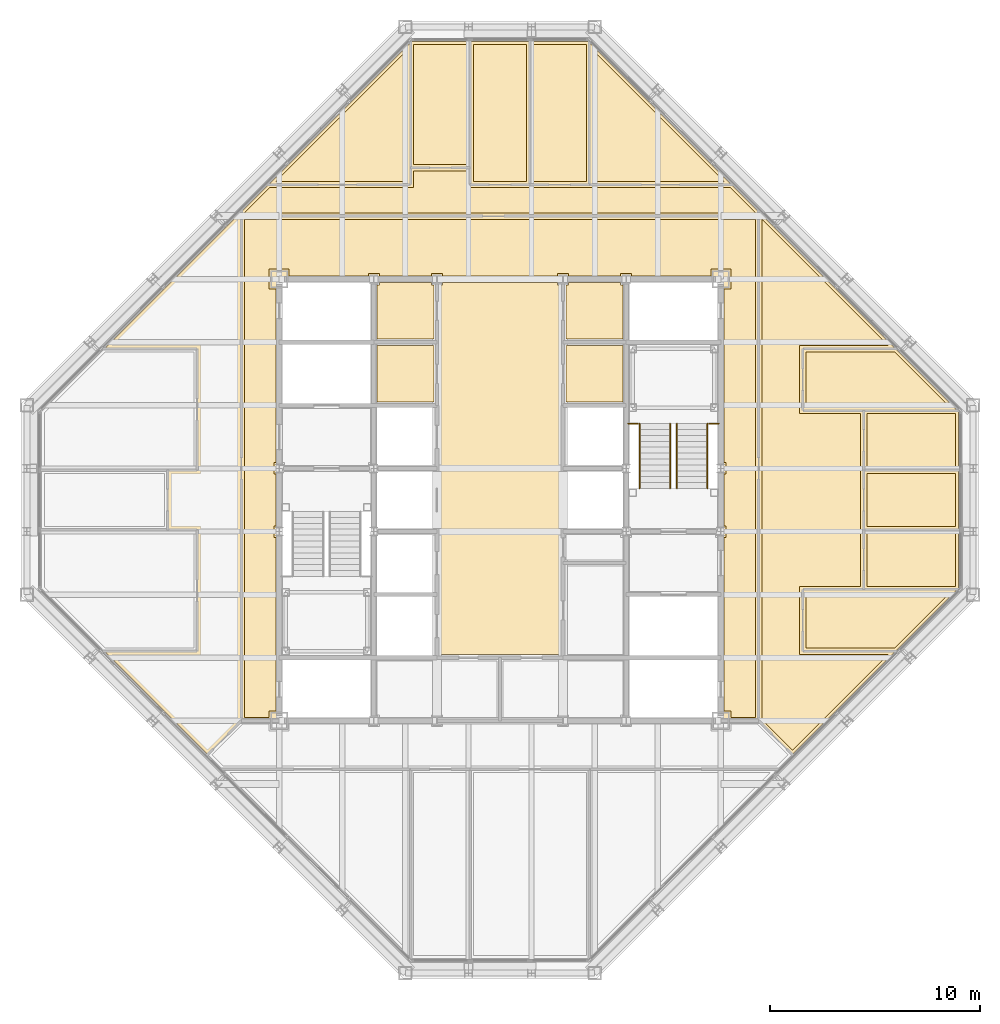
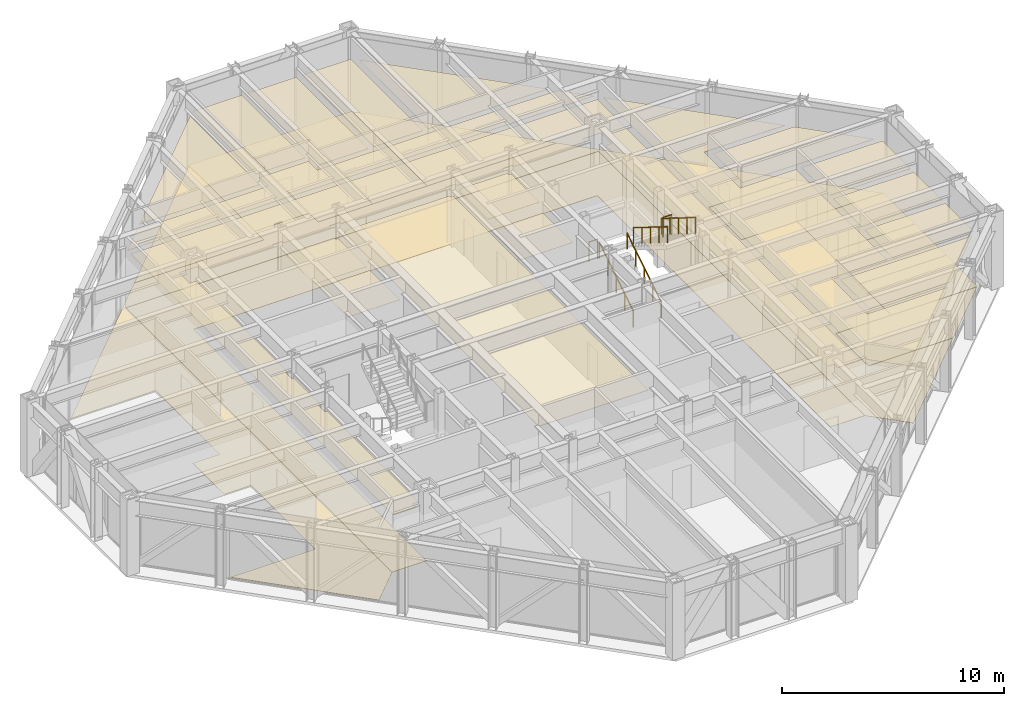
# One storey, part 15 of 15: 30 coverings, 6 railings.
"""IFC4 building model written with IfcOpenShell, lengths in metres."""

from ifc_helpers import new_model, si_unit, direction, frame, origin, origin_2d, place, context, subcontext, project, spatial, polyline, circle, outline, extrude, material, layer, layer_set, type_object, element, save


model = new_model("IFC4")

# Units and contexts
model_context = context("Model", 3, precision=1e-05, world=origin(), true_north=direction((0.0, 1.0)))
body_context = subcontext(model_context, "Body", "Model", "MODEL_VIEW")
ifc_project = project(units=[si_unit("LENGTHUNIT", "METRE"), si_unit("AREAUNIT", "SQUARE_METRE"), si_unit("VOLUMEUNIT", "CUBIC_METRE"), si_unit("PLANEANGLEUNIT", "RADIAN"), si_unit("MASSUNIT", "GRAM", prefix="KILO")], contexts=[model_context])

# Site, building, storey
site_placement = place(None, origin())
site = spatial("IfcSite", under=ifc_project, at=site_placement, CompositionType="ELEMENT")
building_placement = place(site_placement, origin())
building = spatial("IfcBuilding", under=site, at=building_placement, Name="Chuquiago Exchange Tower", CompositionType="ELEMENT")
storey_placement = place(building_placement, frame((0.0, 0.0, 291.60009765625)))
storey = spatial("IfcBuildingStorey", under=building, at=storey_placement, Name="L65", CompositionType="ELEMENT", Elevation=291.60009765625)

# Coverings
ifc_material_1 = material(Name="Mineral fibre tile, 600 x 600, on pale metal grid", Category="mineral fibre")
ifc_layer_1 = layer(ifc_material_1, 0.02001953125)
ifc_layer_set_1 = layer_set([ifc_layer_1], Name="CL1 suspended tile ceiling 20")
covering_type_1 = type_object("IfcCoveringType", Name="CL1 suspended tile ceiling 20", PredefinedType="CEILING", material=ifc_layer_set_1)
covering_1_placement = place(storey_placement, frame((0.0, 0.0, 3.0)))
element("IfcCovering", 1, at=covering_1_placement, inside=storey, type_object=covering_type_1, Name="Ceiling Executive office", PredefinedType="CEILING", context=body_context, shape_type="SweptSolid", body=[
    extrude(outline(polyline([(37.050048828125, 15.45703125), (37.050048828125, 18.098388671875), (43.896484375, 18.098388671875), (41.255126953125, 15.45703125), (37.050048828125, 15.45703125)])), origin(), (0.0, 0.0, 1.0), 0.02001953125),
])
covering_2_placement = place(storey_placement, frame((0.0, 0.0, 3.0)))
element("IfcCovering", 2, at=covering_2_placement, inside=storey, type_object=covering_type_1, Name="Ceiling Focus room", PredefinedType="CEILING", context=body_context, shape_type="SweptSolid", body=[
    extrude(outline(polyline([(39.949951171875, 18.3984375), (39.949951171875, 20.932861328125), (44.14990234375, 20.932861328125), (44.14990234375, 18.3984375), (39.949951171875, 18.3984375)])), origin(), (0.0, 0.0, 1.0), 0.02001953125),
])
covering_3_placement = place(storey_placement, frame((0.0, 0.0, 3.0)))
element("IfcCovering", 3, at=covering_3_placement, inside=storey, type_object=covering_type_1, Name="Ceiling Store", PredefinedType="CEILING", context=body_context, shape_type="SweptSolid", body=[
    extrude(outline(polyline([(39.949951171875, 21.23291015625), (39.949951171875, 23.76708984375), (44.14990234375, 23.76708984375), (44.14990234375, 21.23291015625), (39.949951171875, 21.23291015625)])), origin(), (0.0, 0.0, 1.0), 0.02001953125),
])
covering_4_placement = place(storey_placement, frame((0.0, 0.0, 3.0)))
element("IfcCovering", 4, at=covering_4_placement, inside=storey, type_object=covering_type_1, Name="Ceiling Focus room", PredefinedType="CEILING", context=body_context, shape_type="SweptSolid", body=[
    extrude(outline(polyline([(44.14990234375, 24.067138671875), (39.949951171875, 24.067138671875), (39.949951171875, 26.6015625), (44.14990234375, 26.6015625), (44.14990234375, 24.067138671875)])), origin(), (0.0, 0.0, 1.0), 0.02001953125),
])
covering_5_placement = place(storey_placement, frame((0.0, 0.0, 3.0)))
element("IfcCovering", 5, at=covering_5_placement, inside=storey, type_object=covering_type_1, Name="Ceiling Executive office", PredefinedType="CEILING", context=body_context, shape_type="SweptSolid", body=[
    extrude(outline(polyline([(37.050048828125, 26.901611328125), (37.050048828125, 29.54296875), (41.255126953125, 29.54296875), (43.896484375, 26.901611328125), (37.050048828125, 26.901611328125)])), origin(), (0.0, 0.0, 1.0), 0.02001953125),
])
covering_6_placement = place(storey_placement, frame((0.0, 0.0, 3.0)))
element("IfcCovering", 6, at=covering_6_placement, inside=storey, type_object=covering_type_1, Name="Ceiling Broker lounge", PredefinedType="CEILING", context=body_context, shape_type="SweptSolid", body=[
    extrude(outline(polyline([(18.098388671875, 37.64990234375), (11.85205078125, 37.64990234375), (18.098388671875, 43.896484375), (18.098388671875, 37.64990234375)])), origin(), (0.0, 0.0, 1.0), 0.02001953125),
])
covering_7_placement = place(storey_placement, frame((0.0, 0.0, 3.0)))
element("IfcCovering", 7, at=covering_7_placement, inside=storey, type_object=covering_type_1, Name="Ceiling Pantry", PredefinedType="CEILING", context=body_context, shape_type="SweptSolid", body=[
    extrude(outline(polyline([(20.932861328125, 44.14990234375), (20.932861328125, 38.449951171875), (18.3984375, 38.449951171875), (18.3984375, 44.14990234375), (20.932861328125, 44.14990234375)])), origin(), (0.0, 0.0, 1.0), 0.02001953125),
])
covering_8_placement = place(storey_placement, frame((0.0, 0.0, 3.0)))
element("IfcCovering", 8, at=covering_8_placement, inside=storey, type_object=covering_type_1, Name="Ceiling Office", PredefinedType="CEILING", context=body_context, shape_type="SweptSolid", body=[
    extrude(outline(polyline([(23.76708984375, 37.64990234375), (21.23291015625, 37.64990234375), (21.23291015625, 44.14990234375), (23.76708984375, 44.14990234375), (23.76708984375, 37.64990234375)])), origin(), (0.0, 0.0, 1.0), 0.02001953125),
])
covering_9_placement = place(storey_placement, frame((0.0, 0.0, 3.0)))
element("IfcCovering", 9, at=covering_9_placement, inside=storey, type_object=covering_type_1, Name="Ceiling Office", PredefinedType="CEILING", context=body_context, shape_type="SweptSolid", body=[
    extrude(outline(polyline([(26.6015625, 37.64990234375), (24.067138671875, 37.64990234375), (24.067138671875, 44.14990234375), (26.6015625, 44.14990234375), (26.6015625, 37.64990234375)])), origin(), (0.0, 0.0, 1.0), 0.02001953125),
])
covering_10_placement = place(storey_placement, frame((0.0, 0.0, 3.0)))
element("IfcCovering", 10, at=covering_10_placement, inside=storey, type_object=covering_type_1, Name="Ceiling Training room", PredefinedType="CEILING", context=body_context, shape_type="SweptSolid", body=[
    extrude(outline(polyline([(26.901611328125, 37.64990234375), (26.901611328125, 43.896484375), (33.14794921875, 37.64990234375), (26.901611328125, 37.64990234375)])), origin(), (0.0, 0.0, 1.0), 0.02001953125),
])
covering_11_placement = place(storey_placement, frame((0.0, 0.0, 3.0)))
element("IfcCovering", 11, at=covering_11_placement, inside=storey, type_object=covering_type_1, Name="Ceiling Executive corridor", PredefinedType="CEILING", context=body_context, shape_type="SweptSolid", body=[
    extrude(outline(polyline([(10.35009765625, 12.14990234375), (10.35009765625, 35.85009765625), (34.64990234375, 35.85009765625), (34.64990234375, 12.14990234375), (33.47509765625, 12.14990234375), (33.47509765625, 12.47509765625), (33.14990234375, 12.47509765625), (33.14990234375, 20.727783203125), (33.25830078125, 20.727783203125), (33.25830078125, 21.272216796875), (33.14990234375, 21.272216796875), (33.14990234375, 23.727783203125), (33.25830078125, 23.727783203125), (33.25830078125, 24.272216796875), (33.14990234375, 24.272216796875), (33.14990234375, 32.52490234375), (33.47509765625, 32.52490234375), (33.47509765625, 33.47509765625), (32.52490234375, 33.47509765625), (32.52490234375, 33.14990234375), (28.75830078125, 33.14990234375), (28.75830078125, 33.272216796875), (28.24169921875, 33.272216796875), (28.24169921875, 33.14990234375), (25.75830078125, 33.14990234375), (25.75830078125, 33.272216796875), (25.24169921875, 33.272216796875), (25.24169921875, 33.14990234375), (19.75830078125, 33.14990234375), (19.75830078125, 33.272216796875), (19.24169921875, 33.272216796875), (19.24169921875, 33.14990234375), (16.75830078125, 33.14990234375), (16.75830078125, 33.272216796875), (16.24169921875, 33.272216796875), (16.24169921875, 33.14990234375), (12.47509765625, 33.14990234375), (12.47509765625, 33.47509765625), (11.52490234375, 33.47509765625), (11.52490234375, 32.52490234375), (11.85009765625, 32.52490234375), (11.85009765625, 24.272216796875), (11.74169921875, 24.272216796875), (11.74169921875, 23.727783203125), (11.85009765625, 23.727783203125), (11.85009765625, 21.272216796875), (11.74169921875, 21.272216796875), (11.74169921875, 20.727783203125), (11.85009765625, 20.727783203125), (11.85009765625, 12.47509765625), (11.52490234375, 12.47509765625), (11.52490234375, 12.14990234375), (10.35009765625, 12.14990234375)])), origin(), (0.0, 0.0, 1.0), 0.02001953125),
])
covering_12_placement = place(storey_placement, frame((0.0, 0.0, 3.0)))
element("IfcCovering", 12, at=covering_12_placement, inside=storey, type_object=covering_type_1, Name="Ceiling Executive reception east", PredefinedType="CEILING", context=body_context, shape_type="SweptSolid", body=[
    extrude(outline(polyline([(40.955078125, 29.843017578125), (36.75, 29.843017578125), (36.75, 26.6015625), (39.64990234375, 26.6015625), (39.64990234375, 18.3984375), (36.75, 18.3984375), (36.75, 15.156982421875), (40.955078125, 15.156982421875), (36.405517578125, 10.607421875), (34.949951171875, 12.0625), (34.949951171875, 35.847900390625), (40.955078125, 29.843017578125)])), origin(), (0.0, 0.0, 1.0), 0.02001953125),
])
covering_13_placement = place(storey_placement, frame((0.0, 0.0, 3.0)))
element("IfcCovering", 13, at=covering_13_placement, inside=storey, type_object=covering_type_1, Name="Ceiling Executive reception east", PredefinedType="CEILING", context=body_context, shape_type="SweptSolid", body=[
    extrude(outline(polyline([(11.552001953125, 37.35009765625), (18.3984375, 37.35009765625), (18.3984375, 38.14990234375), (20.932861328125, 38.14990234375), (20.932861328125, 37.35009765625), (33.447998046875, 37.35009765625), (34.64794921875, 36.14990234375), (10.35205078125, 36.14990234375), (11.552001953125, 37.35009765625)])), origin(), (0.0, 0.0, 1.0), 0.02001953125),
])
covering_14_placement = place(storey_placement, frame((0.0, 0.0, 3.0)))
element("IfcCovering", 14, at=covering_14_placement, inside=storey, type_object=covering_type_1, Name="Ceiling Baby change room", PredefinedType="CEILING", context=body_context, shape_type="SweptSolid", body=[
    extrude(outline(polyline([(25.64990234375, 30.14990234375), (25.64990234375, 32.727783203125), (25.75830078125, 32.727783203125), (25.75830078125, 32.85009765625), (28.24169921875, 32.85009765625), (28.24169921875, 32.727783203125), (28.35009765625, 32.727783203125), (28.35009765625, 30.14990234375), (25.64990234375, 30.14990234375)])), origin(), (0.0, 0.0, 1.0), 0.02001953125),
])
ifc_material_2 = material(Name="Moisture resistant plasterboard on metal frame", Category="gypsum")
ifc_layer_2 = layer(ifc_material_2, 0.014892578125)
ifc_layer_set_2 = layer_set([ifc_layer_2], Name="CL2 moisture resistant ceiling 15")
covering_type_2 = type_object("IfcCoveringType", Name="CL2 moisture resistant ceiling 15", PredefinedType="CEILING", material=ifc_layer_set_2)
covering_15_placement = place(storey_placement, frame((0.0, 0.0, 2.599853515625)))
element("IfcCovering", 15, at=covering_15_placement, inside=storey, type_object=covering_type_2, Name="Ceiling Male WC", PredefinedType="CEILING", context=body_context, shape_type="SweptSolid", body=[
    extrude(outline(polyline([(16.64990234375, 27.14990234375), (16.64990234375, 29.85009765625), (19.35009765625, 29.85009765625), (19.35009765625, 27.14990234375), (16.64990234375, 27.14990234375)])), origin(), (0.0, 0.0, 1.0), 0.01513671875),
])
covering_16_placement = place(storey_placement, frame((0.0, 0.0, 2.599853515625)))
element("IfcCovering", 16, at=covering_16_placement, inside=storey, type_object=covering_type_2, Name="Ceiling Staff shower room", PredefinedType="CEILING", context=body_context, shape_type="SweptSolid", body=[
    extrude(outline(polyline([(16.64990234375, 30.14990234375), (16.64990234375, 32.727783203125), (16.75830078125, 32.727783203125), (16.75830078125, 32.85009765625), (19.24169921875, 32.85009765625), (19.24169921875, 32.727783203125), (19.35009765625, 32.727783203125), (19.35009765625, 30.14990234375), (16.64990234375, 30.14990234375)])), origin(), (0.0, 0.0, 1.0), 0.01513671875),
])
covering_17_placement = place(storey_placement, frame((0.0, 0.0, 2.599853515625)))
element("IfcCovering", 17, at=covering_17_placement, inside=storey, type_object=covering_type_2, Name="Ceiling Female WC", PredefinedType="CEILING", context=body_context, shape_type="SweptSolid", body=[
    extrude(outline(polyline([(25.64990234375, 27.14990234375), (25.64990234375, 29.85009765625), (28.35009765625, 29.85009765625), (28.35009765625, 27.14990234375), (25.64990234375, 27.14990234375)])), origin(), (0.0, 0.0, 1.0), 0.01513671875),
])
ifc_material_3 = material(Name="Pale metal plank ceiling, perforated", Category="aluminium")
ifc_layer_3 = layer(ifc_material_3, 0.030029296875)
ifc_layer_set_3 = layer_set([ifc_layer_3], Name="CL3 metal plank ceiling 30")
covering_type_3 = type_object("IfcCoveringType", Name="CL3 metal plank ceiling 30", PredefinedType="CEILING", material=ifc_layer_set_3)
covering_18_placement = place(storey_placement, frame((0.0, 0.0, 2.7998046875)))
element("IfcCovering", 18, at=covering_18_placement, inside=storey, type_object=covering_type_3, Name="Ceiling Lift lobby", PredefinedType="CEILING", context=body_context, shape_type="SweptSolid", body=[
    extrude(outline(polyline([(19.64990234375, 15.14990234375), (19.64990234375, 32.727783203125), (19.75830078125, 32.727783203125), (19.75830078125, 32.85009765625), (25.24169921875, 32.85009765625), (25.24169921875, 32.727783203125), (25.35009765625, 32.727783203125), (25.35009765625, 15.14990234375), (19.64990234375, 15.14990234375)])), origin(), (0.0, 0.0, 1.0), 0.030029296875),
])
ifc_material_4 = material(Name="Carpet tile, 500 x 500, on the floor slab", Category="textile")
ifc_layer_4 = layer(ifc_material_4, 0.010009765625)
ifc_layer_set_4 = layer_set([ifc_layer_4], Name="FL1 carpet tile 10")
covering_type_4 = type_object("IfcCoveringType", Name="FL1 carpet tile 10", PredefinedType="FLOORING", material=ifc_layer_set_4)
covering_19_placement = place(storey_placement, origin())
element("IfcCovering", 19, at=covering_19_placement, inside=storey, type_object=covering_type_4, Name="Floor finish Executive office", PredefinedType="FLOORING", context=body_context, shape_type="SweptSolid", body=[
    extrude(outline(polyline([(41.317138671875, 15.30712890625), (36.89990234375, 15.30712890625), (36.89990234375, 18.24853515625), (44.258544921875, 18.24853515625), (41.317138671875, 15.30712890625)])), origin(), (0.0, 0.0, 1.0), 0.010009765625),
])
covering_20_placement = place(storey_placement, origin())
element("IfcCovering", 20, at=covering_20_placement, inside=storey, type_object=covering_type_4, Name="Floor finish Focus room", PredefinedType="FLOORING", context=body_context, shape_type="SweptSolid", body=[
    extrude(outline(polyline([(44.300048828125, 18.289794921875), (44.258544921875, 18.24853515625), (39.800048828125, 18.24853515625), (39.800048828125, 21.082763671875), (44.300048828125, 21.082763671875), (44.300048828125, 18.289794921875)])), origin(), (0.0, 0.0, 1.0), 0.010009765625),
])
covering_21_placement = place(storey_placement, origin())
element("IfcCovering", 21, at=covering_21_placement, inside=storey, type_object=covering_type_4, Name="Floor finish Focus room", PredefinedType="FLOORING", context=body_context, shape_type="SweptSolid", body=[
    extrude(outline(polyline([(44.300048828125, 26.710205078125), (44.300048828125, 23.917236328125), (39.800048828125, 23.917236328125), (39.800048828125, 26.75146484375), (44.258544921875, 26.75146484375), (44.300048828125, 26.710205078125)])), origin(), (0.0, 0.0, 1.0), 0.010009765625),
])
covering_22_placement = place(storey_placement, origin())
element("IfcCovering", 22, at=covering_22_placement, inside=storey, type_object=covering_type_4, Name="Floor finish Executive office", PredefinedType="FLOORING", context=body_context, shape_type="SweptSolid", body=[
    extrude(outline(polyline([(44.258544921875, 26.75146484375), (36.89990234375, 26.75146484375), (36.89990234375, 29.69287109375), (41.317138671875, 29.69287109375), (44.258544921875, 26.75146484375)])), origin(), (0.0, 0.0, 1.0), 0.010009765625),
])
covering_23_placement = place(storey_placement, origin())
element("IfcCovering", 23, at=covering_23_placement, inside=storey, type_object=covering_type_4, Name="Floor finish Office", PredefinedType="FLOORING", context=body_context, shape_type="SweptSolid", body=[
    extrude(outline(polyline([(23.917236328125, 44.300048828125), (23.917236328125, 37.5), (21.082763671875, 37.5), (21.082763671875, 44.300048828125), (23.917236328125, 44.300048828125)])), origin(), (0.0, 0.0, 1.0), 0.010009765625),
])
covering_24_placement = place(storey_placement, origin())
element("IfcCovering", 24, at=covering_24_placement, inside=storey, type_object=covering_type_4, Name="Floor finish Office", PredefinedType="FLOORING", context=body_context, shape_type="SweptSolid", body=[
    extrude(outline(polyline([(26.710205078125, 44.300048828125), (26.75146484375, 44.258544921875), (26.75146484375, 37.5), (23.917236328125, 37.5), (23.917236328125, 44.300048828125), (26.710205078125, 44.300048828125)])), origin(), (0.0, 0.0, 1.0), 0.010009765625),
])
covering_25_placement = place(storey_placement, origin())
element("IfcCovering", 25, at=covering_25_placement, inside=storey, type_object=covering_type_4, Name="Floor finish Training room", PredefinedType="FLOORING", context=body_context, shape_type="SweptSolid", body=[
    extrude(outline(polyline([(33.510009765625, 37.5), (26.75146484375, 37.5), (26.75146484375, 44.258544921875), (33.510009765625, 37.5)])), origin(), (0.0, 0.0, 1.0), 0.010009765625),
])
ifc_material_5 = material(Name="Porcelain floor tile, 600 x 600, on adhesive bed", Category="ceramic")
ifc_layer_5 = layer(ifc_material_5, 0.014892578125)
ifc_layer_set_5 = layer_set([ifc_layer_5], Name="FL2 porcelain tile 15")
covering_type_5 = type_object("IfcCoveringType", Name="FL2 porcelain tile 15", PredefinedType="FLOORING", material=ifc_layer_set_5)
covering_26_placement = place(storey_placement, origin())
element("IfcCovering", 26, at=covering_26_placement, inside=storey, type_object=covering_type_5, Name="Floor finish Store", PredefinedType="FLOORING", context=body_context, shape_type="SweptSolid", body=[
    extrude(outline(polyline([(44.300048828125, 21.082763671875), (39.800048828125, 21.082763671875), (39.800048828125, 23.917236328125), (44.300048828125, 23.917236328125), (44.300048828125, 21.082763671875)])), origin(), (0.0, 0.0, 1.0), 0.014892578125),
])
covering_27_placement = place(storey_placement, origin())
element("IfcCovering", 27, at=covering_27_placement, inside=storey, type_object=covering_type_5, Name="Floor finish Broker lounge", PredefinedType="FLOORING", context=body_context, shape_type="SweptSolid", body=[
    extrude(outline(polyline([(18.24853515625, 44.258544921875), (18.24853515625, 37.5), (11.489990234375, 37.5), (18.24853515625, 44.258544921875)])), origin(), (0.0, 0.0, 1.0), 0.014892578125),
])
covering_28_placement = place(storey_placement, origin())
element("IfcCovering", 28, at=covering_28_placement, inside=storey, type_object=covering_type_5, Name="Floor finish Pantry", PredefinedType="FLOORING", context=body_context, shape_type="SweptSolid", body=[
    extrude(outline(polyline([(18.289794921875, 44.300048828125), (21.082763671875, 44.300048828125), (21.082763671875, 38.300048828125), (18.24853515625, 38.300048828125), (18.24853515625, 44.258544921875), (18.289794921875, 44.300048828125)])), origin(), (0.0, 0.0, 1.0), 0.014892578125),
])
covering_29_placement = place(storey_placement, origin())
element("IfcCovering", 29, at=covering_29_placement, inside=storey, type_object=covering_type_5, Name="Floor finish Executive corridor", PredefinedType="FLOORING", context=body_context, shape_type="SweptSolid", body=[
    extrude(outline(polyline([(12.0, 12.0), (10.199951171875, 12.0), (10.199951171875, 36.0), (34.800048828125, 36.0), (34.800048828125, 12.0), (33.0, 12.0), (33.0, 33.0), (12.0, 33.0), (12.0, 12.0)])), origin(), (0.0, 0.0, 1.0), 0.014892578125),
])
covering_30_placement = place(storey_placement, origin())
element("IfcCovering", 30, at=covering_30_placement, inside=storey, type_object=covering_type_5, Name="Floor finish Executive reception east", PredefinedType="FLOORING", context=body_context, shape_type="SweptSolid", body=[
    extrude(outline(polyline([(18.24853515625, 38.300048828125), (21.082763671875, 38.300048828125), (21.082763671875, 37.5), (33.510009765625, 37.5), (30.130859375, 40.87939453125), (41.317138671875, 29.69287109375), (36.89990234375, 29.69287109375), (36.89990234375, 26.75146484375), (39.800048828125, 26.75146484375), (39.800048828125, 18.24853515625), (36.89990234375, 18.24853515625), (36.89990234375, 15.30712890625), (41.317138671875, 15.30712890625), (36.405517578125, 10.395263671875), (34.800048828125, 12.00048828125), (34.800048828125, 36.0), (10.199951171875, 36.0), (10.199951171875, 12.00048828125), (8.594482421875, 10.395263671875), (3.682861328125, 15.30712890625), (8.10009765625, 15.30712890625), (8.10009765625, 21.082763671875), (6.699951171875, 21.082763671875), (6.699951171875, 23.917236328125), (8.10009765625, 23.917236328125), (8.10009765625, 29.69287109375), (3.682861328125, 29.69287109375), (0.699951171875, 26.710205078125), (11.489990234375, 37.5), (18.24853515625, 37.5), (18.24853515625, 38.300048828125)])), origin(), (0.0, 0.0, 1.0), 0.014892578125),
])

# Railings
ifc_material_6 = material(Name="Pale metal guard with safety glass infill", Category="glass")
railing_type_1 = type_object("IfcRailingType", Name="GR1 guard 1100", PredefinedType="GUARDRAIL", material=ifc_material_6)
for number, where, name in (
    (31, (28.60009765625, 26.1298828125, 2.099853515625), "Guard ST2 L65 landing 2"),
    (32, (32.445068359375, 26.1298828125, 2.099853515625), "Guard ST2 L65 landing 2"),
):
    element("IfcRailing", number, at=place(storey_placement, frame(where)), inside=storey, type_object=railing_type_1, Name=name, PredefinedType="GUARDRAIL", context=body_context, shape_type="SweptSolid", body=[
        extrude(circle(Radius=0.02392578125, at=origin_2d()), frame((0.0, 0.0, 1.076171875), z_axis=(1.0, 0.0, 0.0), x_axis=(0.0, 1.0, 0.0)), (0.0, 0.0, 1.0), 0.454833984375),
        extrude(circle(Radius=0.02099609375, at=origin_2d()), origin(), (0.0, 0.0, 1.0), 1.052001953125),
        extrude(circle(Radius=0.02099609375, at=origin_2d()), frame((0.454833984375, 0.0, 0.0)), (0.0, 0.0, 1.0), 1.052001953125),
    ])
ifc_material_7 = material(Name="Pale metal handrail", Category="steel")
railing_type_2 = type_object("IfcRailingType", Name="HR1 handrail 900", PredefinedType="HANDRAIL", material=ifc_material_7)
for number, where, name in (
    (33, (30.5849609375, 23.050048828125, 0.1748046875), "Handrail ST2 L65 flight 1"),
    (34, (29.135009765625, 23.050048828125, 0.1748046875), "Handrail ST2 L65 flight 1"),
):
    element("IfcRailing", number, at=place(storey_placement, frame(where)), inside=storey, type_object=railing_type_2, Name=name, PredefinedType="HANDRAIL", context=body_context, shape_type="SweptSolid", body=[
        extrude(circle(Radius=0.02392578125, at=origin_2d()), frame((0.0, 0.0, 0.8759765625), z_axis=(0.0, 0.847979421464, 0.530029150871), x_axis=(-1.0, 0.0, 0.0)), (0.0, 0.0, 1.0), 3.632080078125),
        extrude(circle(Radius=0.02099609375, at=origin_2d()), origin(), (0.0, 0.0, 1.0), 0.851806640625),
        extrude(circle(Radius=0.02099609375, at=origin_2d()), frame((0.0, 0.77001953125, 0.481201171875)), (0.0, 0.0, 1.0), 0.851806640625),
        extrude(circle(Radius=0.02099609375, at=origin_2d()), frame((0.0, 1.5400390625, 0.96240234375)), (0.0, 0.0, 1.0), 0.851806640625),
        extrude(circle(Radius=0.02099609375, at=origin_2d()), frame((0.0, 2.309814453125, 1.44384765625)), (0.0, 0.0, 1.0), 0.851806640625),
        extrude(circle(Radius=0.02099609375, at=origin_2d()), frame((0.0, 3.079833984375, 1.925048828125)), (0.0, 0.0, 1.0), 0.851806640625),
    ])
for number, where, name in (
    (35, (30.9150390625, 26.1298828125, 2.27490234375), "Handrail ST2 L65 flight 2"),
    (36, (32.364990234375, 26.1298828125, 2.27490234375), "Handrail ST2 L65 flight 2"),
):
    element("IfcRailing", number, at=place(storey_placement, frame(where)), inside=storey, type_object=railing_type_2, Name=name, PredefinedType="HANDRAIL", context=body_context, shape_type="SweptSolid", body=[
        extrude(circle(Radius=0.02392578125, at=origin_2d()), frame((0.0, 0.0, 0.8759765625), z_axis=(0.0, -0.847979421464, 0.530029150871), x_axis=(1.0, 0.0, 0.0)), (0.0, 0.0, 1.0), 3.632080078125),
        extrude(circle(Radius=0.02099609375, at=origin_2d()), origin(), (0.0, 0.0, 1.0), 0.851806640625),
        extrude(circle(Radius=0.02099609375, at=origin_2d()), frame((0.0, -0.77001953125, 0.481201171875)), (0.0, 0.0, 1.0), 0.851806640625),
        extrude(circle(Radius=0.02099609375, at=origin_2d()), frame((0.0, -1.5400390625, 0.96240234375)), (0.0, 0.0, 1.0), 0.851806640625),
        extrude(circle(Radius=0.02099609375, at=origin_2d()), frame((0.0, -2.309814453125, 1.44384765625)), (0.0, 0.0, 1.0), 0.851806640625),
        extrude(circle(Radius=0.02099609375, at=origin_2d()), frame((0.0, -3.079833984375, 1.925048828125)), (0.0, 0.0, 1.0), 0.851806640625),
    ])

save(model, "model.ifc")
